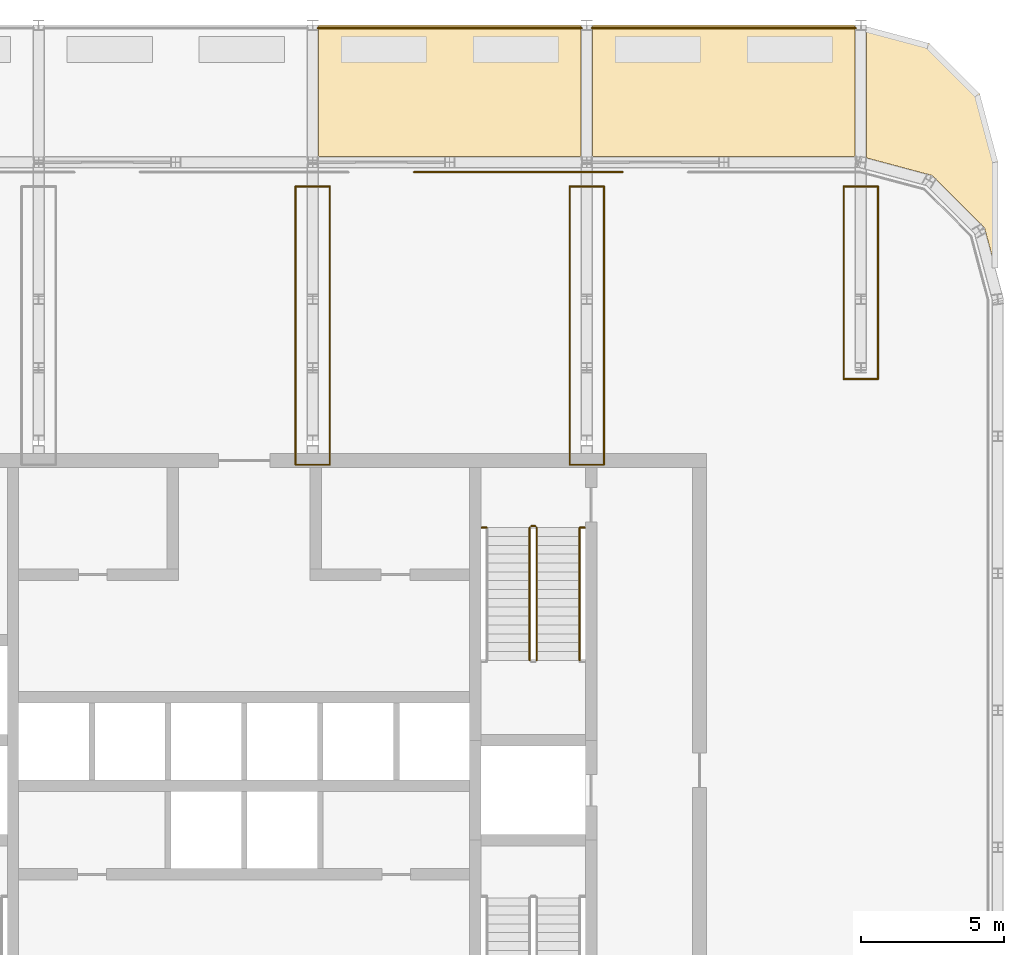
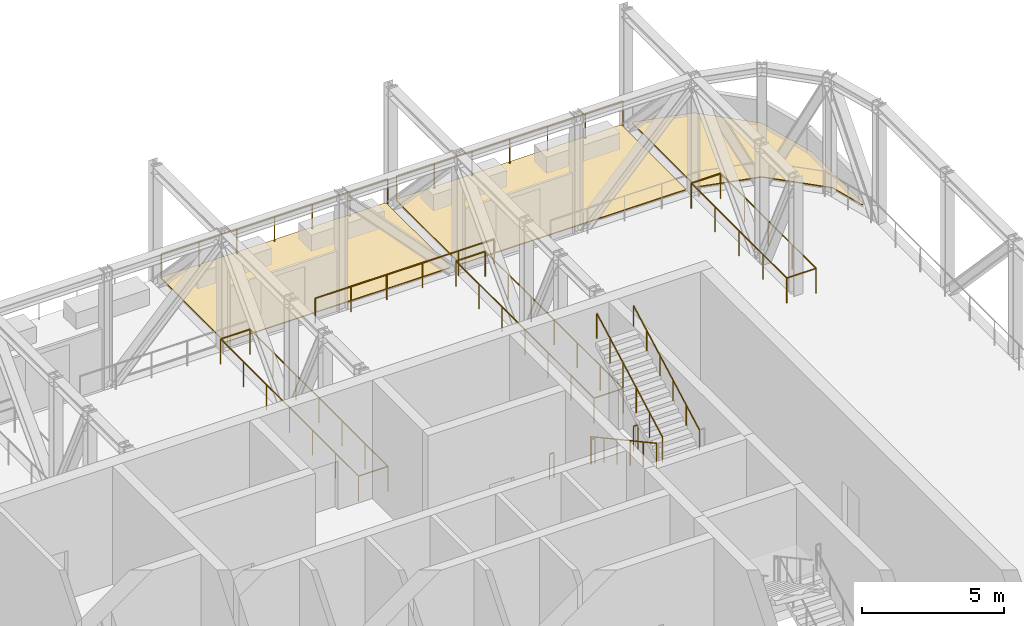
# One storey, part 15 of 16: 21 railings, 3 coverings.
"""IFC4 building model written with IfcOpenShell, lengths in metres."""

from ifc_helpers import new_model, si_unit, direction, frame, origin, origin_2d, place, context, subcontext, project, spatial, polyline, circle, outline, extrude, material, layer, layer_set, type_object, element, save


model = new_model("IFC4")

# Units and contexts
model_context = context("Model", 3, precision=1e-05, world=origin(), true_north=direction((0.0, 1.0)))
body_context = subcontext(model_context, "Body", "Model", "MODEL_VIEW")
ifc_project = project(units=[si_unit("LENGTHUNIT", "METRE"), si_unit("AREAUNIT", "SQUARE_METRE"), si_unit("VOLUMEUNIT", "CUBIC_METRE"), si_unit("PLANEANGLEUNIT", "RADIAN"), si_unit("MASSUNIT", "GRAM", prefix="KILO")], contexts=[model_context])

# Site, building, storey
site_placement = place(None, origin())
site = spatial("IfcSite", under=ifc_project, at=site_placement, CompositionType="ELEMENT")
building_placement = place(site_placement, origin())
building = spatial("IfcBuilding", under=site, at=building_placement, Name="Madar Terraces", CompositionType="ELEMENT")
storey_placement = place(building_placement, frame((0.0, 0.0, 263.199951171875)))
storey = spatial("IfcBuildingStorey", under=building, at=storey_placement, Name="L69", CompositionType="ELEMENT", Elevation=263.199951171875)

# Railings
ifc_material_1 = material(Name="Glass, safety glazing, with stainless steel posts", Category="steel")
railing_type_1 = type_object("IfcRailingType", Name="Balcony glass guard 1100", PredefinedType="GUARDRAIL", material=ifc_material_1)
railing_1_placement = place(storey_placement, frame((44.45166015625, 47.65185546875, 0.0)))
element("IfcRailing", 1, at=railing_1_placement, inside=storey, type_object=railing_type_1, Name="Gallery guard", PredefinedType="GUARDRAIL", context=body_context, shape_type="SweptSolid", body=[
    extrude(circle(Radius=0.02392578125, at=origin_2d()), frame((0.0, 0.0, 1.076171875), z_axis=(-1.0, 0.0, 0.0), x_axis=(0.0, -1.0, 0.0)), (0.0, 0.0, 1.0), 7.30322265625),
    extrude(circle(Radius=0.02099609375, at=origin_2d()), origin(), (0.0, 0.0, 1.0), 1.052001953125),
    extrude(circle(Radius=0.02099609375, at=origin_2d()), frame((-1.460693359375, 0.0, 0.0)), (0.0, 0.0, 1.0), 1.052001953125),
    extrude(circle(Radius=0.02099609375, at=origin_2d()), frame((-2.92138671875, 0.0, 0.0)), (0.0, 0.0, 1.0), 1.052001953125),
    extrude(circle(Radius=0.02099609375, at=origin_2d()), frame((-4.3818359375, 0.0, 0.0)), (0.0, 0.0, 1.0), 1.052001953125),
    extrude(circle(Radius=0.02099609375, at=origin_2d()), frame((-5.842529296875, 0.0, 0.0)), (0.0, 0.0, 1.0), 1.052001953125),
    extrude(circle(Radius=0.02099609375, at=origin_2d()), frame((-7.30322265625, 0.0, 0.0)), (0.0, 0.0, 1.0), 1.052001953125),
])
for number, where, name in (
    (2, (33.001953125, 37.402099609375, 0.0), "Slot guard"),
    (3, (34.197998046875, 37.402099609375, 0.0), "Slot guard"),
):
    element("IfcRailing", number, at=place(storey_placement, frame(where)), inside=storey, type_object=railing_type_1, Name=name, PredefinedType="GUARDRAIL", context=body_context, shape_type="SweptSolid", body=[
        extrude(circle(Radius=0.02392578125, at=origin_2d()), frame((0.0, 0.0, 1.076171875), z_axis=(0.0, 1.0, 0.0), x_axis=(-1.0, 0.0, 0.0)), (0.0, 0.0, 1.0), 9.749755859375),
        extrude(circle(Radius=0.02099609375, at=origin_2d()), origin(), (0.0, 0.0, 1.0), 1.052001953125),
        extrude(circle(Radius=0.02099609375, at=origin_2d()), frame((0.0, 1.625, 0.0)), (0.0, 0.0, 1.0), 1.052001953125),
        extrude(circle(Radius=0.02099609375, at=origin_2d()), frame((0.0, 3.25, 0.0)), (0.0, 0.0, 1.0), 1.052001953125),
        extrude(circle(Radius=0.02099609375, at=origin_2d()), frame((0.0, 4.875, 0.0)), (0.0, 0.0, 1.0), 1.052001953125),
        extrude(circle(Radius=0.02099609375, at=origin_2d()), frame((0.0, 6.499755859375, 0.0)), (0.0, 0.0, 1.0), 1.052001953125),
        extrude(circle(Radius=0.02099609375, at=origin_2d()), frame((0.0, 8.124755859375, 0.0)), (0.0, 0.0, 1.0), 1.052001953125),
        extrude(circle(Radius=0.02099609375, at=origin_2d()), frame((0.0, 9.749755859375, 0.0)), (0.0, 0.0, 1.0), 1.052001953125),
    ])
for number, where, name in (
    (4, (33.001953125, 37.402099609375, 0.0), "Slot guard"),
    (5, (33.001953125, 47.15185546875, 0.0), "Slot guard"),
):
    element("IfcRailing", number, at=place(storey_placement, frame(where)), inside=storey, type_object=railing_type_1, Name=name, PredefinedType="GUARDRAIL", context=body_context, shape_type="SweptSolid", body=[
        extrude(circle(Radius=0.02392578125, at=origin_2d()), frame((0.0, 0.0, 1.076171875), z_axis=(1.0, 0.0, 0.0), x_axis=(0.0, 1.0, 0.0)), (0.0, 0.0, 1.0), 1.196044921875),
        extrude(circle(Radius=0.02099609375, at=origin_2d()), origin(), (0.0, 0.0, 1.0), 1.052001953125),
        extrude(circle(Radius=0.02099609375, at=origin_2d()), frame((1.196044921875, 0.0, 0.0)), (0.0, 0.0, 1.0), 1.052001953125),
    ])
for number, where, name in (
    (6, (42.601806640625, 37.402099609375, 0.0), "Slot guard"),
    (7, (43.798095703125, 37.402099609375, 0.0), "Slot guard"),
):
    element("IfcRailing", number, at=place(storey_placement, frame(where)), inside=storey, type_object=railing_type_1, Name=name, PredefinedType="GUARDRAIL", context=body_context, shape_type="SweptSolid", body=[
        extrude(circle(Radius=0.02392578125, at=origin_2d()), frame((0.0, 0.0, 1.076171875), z_axis=(0.0, 1.0, 0.0), x_axis=(-1.0, 0.0, 0.0)), (0.0, 0.0, 1.0), 9.749755859375),
        extrude(circle(Radius=0.02099609375, at=origin_2d()), origin(), (0.0, 0.0, 1.0), 1.052001953125),
        extrude(circle(Radius=0.02099609375, at=origin_2d()), frame((0.0, 1.625, 0.0)), (0.0, 0.0, 1.0), 1.052001953125),
        extrude(circle(Radius=0.02099609375, at=origin_2d()), frame((0.0, 3.25, 0.0)), (0.0, 0.0, 1.0), 1.052001953125),
        extrude(circle(Radius=0.02099609375, at=origin_2d()), frame((0.0, 4.875, 0.0)), (0.0, 0.0, 1.0), 1.052001953125),
        extrude(circle(Radius=0.02099609375, at=origin_2d()), frame((0.0, 6.499755859375, 0.0)), (0.0, 0.0, 1.0), 1.052001953125),
        extrude(circle(Radius=0.02099609375, at=origin_2d()), frame((0.0, 8.124755859375, 0.0)), (0.0, 0.0, 1.0), 1.052001953125),
        extrude(circle(Radius=0.02099609375, at=origin_2d()), frame((0.0, 9.749755859375, 0.0)), (0.0, 0.0, 1.0), 1.052001953125),
    ])
for number, where, name in (
    (8, (42.601806640625, 37.402099609375, 0.0), "Slot guard"),
    (9, (42.601806640625, 47.15185546875, 0.0), "Slot guard"),
):
    element("IfcRailing", number, at=place(storey_placement, frame(where)), inside=storey, type_object=railing_type_1, Name=name, PredefinedType="GUARDRAIL", context=body_context, shape_type="SweptSolid", body=[
        extrude(circle(Radius=0.02392578125, at=origin_2d()), frame((0.0, 0.0, 1.076171875), z_axis=(1.0, 0.0, 0.0), x_axis=(0.0, 1.0, 0.0)), (0.0, 0.0, 1.0), 1.1962890625),
        extrude(circle(Radius=0.02099609375, at=origin_2d()), origin(), (0.0, 0.0, 1.0), 1.052001953125),
        extrude(circle(Radius=0.02099609375, at=origin_2d()), frame((1.1962890625, 0.0, 0.0)), (0.0, 0.0, 1.0), 1.052001953125),
    ])
for number, where, name in (
    (10, (52.201904296875, 40.402099609375, 0.0), "Slot guard"),
    (11, (53.398193359375, 40.402099609375, 0.0), "Slot guard"),
):
    element("IfcRailing", number, at=place(storey_placement, frame(where)), inside=storey, type_object=railing_type_1, Name=name, PredefinedType="GUARDRAIL", context=body_context, shape_type="SweptSolid", body=[
        extrude(circle(Radius=0.02392578125, at=origin_2d()), frame((0.0, 0.0, 1.076171875), z_axis=(0.0, 1.0, 0.0), x_axis=(-1.0, 0.0, 0.0)), (0.0, 0.0, 1.0), 6.749755859375),
        extrude(circle(Radius=0.02099609375, at=origin_2d()), origin(), (0.0, 0.0, 1.0), 1.052001953125),
        extrude(circle(Radius=0.02099609375, at=origin_2d()), frame((0.0, 1.6875, 0.0)), (0.0, 0.0, 1.0), 1.052001953125),
        extrude(circle(Radius=0.02099609375, at=origin_2d()), frame((0.0, 3.375, 0.0)), (0.0, 0.0, 1.0), 1.052001953125),
        extrude(circle(Radius=0.02099609375, at=origin_2d()), frame((0.0, 5.062255859375, 0.0)), (0.0, 0.0, 1.0), 1.052001953125),
        extrude(circle(Radius=0.02099609375, at=origin_2d()), frame((0.0, 6.749755859375, 0.0)), (0.0, 0.0, 1.0), 1.052001953125),
    ])
for number, where, name in (
    (12, (52.201904296875, 40.402099609375, 0.0), "Slot guard"),
    (13, (52.201904296875, 47.15185546875, 0.0), "Slot guard"),
):
    element("IfcRailing", number, at=place(storey_placement, frame(where)), inside=storey, type_object=railing_type_1, Name=name, PredefinedType="GUARDRAIL", context=body_context, shape_type="SweptSolid", body=[
        extrude(circle(Radius=0.02392578125, at=origin_2d()), frame((0.0, 0.0, 1.076171875), z_axis=(1.0, 0.0, 0.0), x_axis=(0.0, 1.0, 0.0)), (0.0, 0.0, 1.0), 1.1962890625),
        extrude(circle(Radius=0.02099609375, at=origin_2d()), origin(), (0.0, 0.0, 1.0), 1.052001953125),
        extrude(circle(Radius=0.02099609375, at=origin_2d()), frame((1.1962890625, 0.0, 0.0)), (0.0, 0.0, 1.0), 1.052001953125),
    ])
railing_2_placement = place(storey_placement, frame((43.02197265625, 52.699951171875, 0.0400390625)))
element("IfcRailing", 14, at=railing_2_placement, inside=storey, type_object=railing_type_1, Name="Terrace guard", PredefinedType="GUARDRAIL", context=body_context, shape_type="SweptSolid", body=[
    extrude(circle(Radius=0.02392578125, at=origin_2d()), frame((0.0, 0.0, 1.076171875), z_axis=(-1.0, 0.0, 0.0), x_axis=(0.0, -1.0, 0.0)), (0.0, 0.0, 1.0), 9.243896484375),
    extrude(circle(Radius=0.02099609375, at=origin_2d()), origin(), (0.0, 0.0, 1.0), 1.052001953125),
    extrude(circle(Radius=0.02099609375, at=origin_2d()), frame((-1.54052734375, 0.0, 0.0)), (0.0, 0.0, 1.0), 1.052001953125),
    extrude(circle(Radius=0.02099609375, at=origin_2d()), frame((-3.081298828125, 0.0, 0.0)), (0.0, 0.0, 1.0), 1.052001953125),
    extrude(circle(Radius=0.02099609375, at=origin_2d()), frame((-4.6220703125, 0.0, 0.0)), (0.0, 0.0, 1.0), 1.052001953125),
    extrude(circle(Radius=0.02099609375, at=origin_2d()), frame((-6.16259765625, 0.0, 0.0)), (0.0, 0.0, 1.0), 1.052001953125),
    extrude(circle(Radius=0.02099609375, at=origin_2d()), frame((-7.703125, 0.0, 0.0)), (0.0, 0.0, 1.0), 1.052001953125),
    extrude(circle(Radius=0.02099609375, at=origin_2d()), frame((-9.243896484375, 0.0, 0.0)), (0.0, 0.0, 1.0), 1.052001953125),
])
railing_3_placement = place(storey_placement, frame((52.621826171875, 52.699951171875, 0.0400390625)))
element("IfcRailing", 15, at=railing_3_placement, inside=storey, type_object=railing_type_1, Name="Terrace guard", PredefinedType="GUARDRAIL", context=body_context, shape_type="SweptSolid", body=[
    extrude(circle(Radius=0.02392578125, at=origin_2d()), frame((0.0, 0.0, 1.076171875), z_axis=(-1.0, 0.0, 0.0), x_axis=(0.0, -1.0, 0.0)), (0.0, 0.0, 1.0), 9.24365234375),
    extrude(circle(Radius=0.02099609375, at=origin_2d()), origin(), (0.0, 0.0, 1.0), 1.052001953125),
    extrude(circle(Radius=0.02099609375, at=origin_2d()), frame((-1.54052734375, 0.0, 0.0)), (0.0, 0.0, 1.0), 1.052001953125),
    extrude(circle(Radius=0.02099609375, at=origin_2d()), frame((-3.081298828125, 0.0, 0.0)), (0.0, 0.0, 1.0), 1.052001953125),
    extrude(circle(Radius=0.02099609375, at=origin_2d()), frame((-4.621826171875, 0.0, 0.0)), (0.0, 0.0, 1.0), 1.052001953125),
    extrude(circle(Radius=0.02099609375, at=origin_2d()), frame((-6.162353515625, 0.0, 0.0)), (0.0, 0.0, 1.0), 1.052001953125),
    extrude(circle(Radius=0.02099609375, at=origin_2d()), frame((-7.703125, 0.0, 0.0)), (0.0, 0.0, 1.0), 1.052001953125),
    extrude(circle(Radius=0.02099609375, at=origin_2d()), frame((-9.24365234375, 0.0, 0.0)), (0.0, 0.0, 1.0), 1.052001953125),
])
ifc_material_2 = material(Name="Stainless steel railing", Category="steel")
railing_type_2 = type_object("IfcRailingType", Name="Stair guard 1100", PredefinedType="GUARDRAIL", material=ifc_material_2)
railing_4_placement = place(storey_placement, frame((41.199951171875, 35.199951171875, 0.168701171875)))
element("IfcRailing", 16, at=railing_4_placement, inside=storey, type_object=railing_type_2, Name="L69 ST2 stair guard 1", PredefinedType="GUARDRAIL", context=body_context, shape_type="SweptSolid", body=[
    extrude(circle(Radius=0.02392578125, at=origin_2d()), frame((0.0, 0.0, 1.076171875), z_axis=(0.0, -0.878297076953, 0.478115304728), x_axis=(1.0, 0.0, 0.0)), (0.0, 0.0, 1.0), 5.294189453125),
    extrude(circle(Radius=0.02099609375, at=origin_2d()), origin(), (0.0, 0.0, 1.0), 1.052001953125),
    extrude(circle(Radius=0.02099609375, at=origin_2d()), frame((0.0, -0.929931640625, 0.50634765625)), (0.0, 0.0, 1.0), 1.052001953125),
    extrude(circle(Radius=0.02099609375, at=origin_2d()), frame((0.0, -1.85986328125, 1.012451171875)), (0.0, 0.0, 1.0), 1.052001953125),
    extrude(circle(Radius=0.02099609375, at=origin_2d()), frame((0.0, -2.7900390625, 1.518798828125)), (0.0, 0.0, 1.0), 1.052001953125),
    extrude(circle(Radius=0.02099609375, at=origin_2d()), frame((0.0, -3.719970703125, 2.02490234375)), (0.0, 0.0, 1.0), 1.052001953125),
    extrude(circle(Radius=0.02099609375, at=origin_2d()), frame((0.0, -4.64990234375, 2.53125)), (0.0, 0.0, 1.0), 1.052001953125),
])
railing_5_placement = place(storey_placement, frame((41.449951171875, 30.550048828125, 2.868896484375)))
element("IfcRailing", 17, at=railing_5_placement, inside=storey, type_object=railing_type_2, Name="L69 ST2 stair guard 3", PredefinedType="GUARDRAIL", context=body_context, shape_type="SweptSolid", body=[
    extrude(circle(Radius=0.02392578125, at=origin_2d()), frame((0.0, 0.0, 1.076171875), z_axis=(0.0, 0.878297076953, 0.478115304728), x_axis=(-1.0, 0.0, 0.0)), (0.0, 0.0, 1.0), 5.294189453125),
    extrude(circle(Radius=0.02099609375, at=origin_2d()), origin(), (0.0, 0.0, 1.0), 1.052001953125),
    extrude(circle(Radius=0.02099609375, at=origin_2d()), frame((0.0, 0.929931640625, 0.50634765625)), (0.0, 0.0, 1.0), 1.052001953125),
    extrude(circle(Radius=0.02099609375, at=origin_2d()), frame((0.0, 1.85986328125, 1.012451171875)), (0.0, 0.0, 1.0), 1.052001953125),
    extrude(circle(Radius=0.02099609375, at=origin_2d()), frame((0.0, 2.7900390625, 1.518798828125)), (0.0, 0.0, 1.0), 1.052001953125),
    extrude(circle(Radius=0.02099609375, at=origin_2d()), frame((0.0, 3.719970703125, 2.02490234375)), (0.0, 0.0, 1.0), 1.052001953125),
    extrude(circle(Radius=0.02099609375, at=origin_2d()), frame((0.0, 4.64990234375, 2.53125)), (0.0, 0.0, 1.0), 1.052001953125),
])
railing_6_placement = place(storey_placement, frame((41.25, 35.25, 0.0)))
element("IfcRailing", 18, at=railing_6_placement, inside=storey, type_object=railing_type_2, Name="L69 ST2 stair guard 4", PredefinedType="GUARDRAIL", context=body_context, shape_type="SweptSolid", body=[
    extrude(circle(Radius=0.02392578125, at=origin_2d()), frame((0.0, 0.0, 1.076171875), z_axis=(1.0, 0.0, 0.0), x_axis=(0.0, 1.0, 0.0)), (0.0, 0.0, 1.0), 0.14990234375),
    extrude(circle(Radius=0.02099609375, at=origin_2d()), origin(), (0.0, 0.0, 1.0), 1.052001953125),
    extrude(circle(Radius=0.02099609375, at=origin_2d()), frame((0.14990234375, 0.0, 0.0)), (0.0, 0.0, 1.0), 1.052001953125),
])
for number, where, name in (
    (19, (39.52001953125, 35.199951171875, 0.0), "L69 stair guard floor 1"),
    (20, (42.949951171875, 35.199951171875, 0.0), "L69 stair guard floor 2"),
):
    element("IfcRailing", number, at=place(storey_placement, frame(where)), inside=storey, type_object=railing_type_2, Name=name, PredefinedType="GUARDRAIL", context=body_context, shape_type="SweptSolid", body=[
        extrude(circle(Radius=0.02392578125, at=origin_2d()), frame((0.0, 0.0, 1.076171875), z_axis=(1.0, 0.0, 0.0), x_axis=(0.0, 1.0, 0.0)), (0.0, 0.0, 1.0), 0.179931640625),
        extrude(circle(Radius=0.02099609375, at=origin_2d()), origin(), (0.0, 0.0, 1.0), 1.052001953125),
        extrude(circle(Radius=0.02099609375, at=origin_2d()), frame((0.179931640625, 0.0, 0.0)), (0.0, 0.0, 1.0), 1.052001953125),
    ])
ifc_material_3 = material(Name="Stainless steel railing", Category="steel")
railing_type_3 = type_object("IfcRailingType", Name="Stair handrail 900", PredefinedType="HANDRAIL", material=ifc_material_3)
railing_7_placement = place(storey_placement, frame((42.949951171875, 30.550048828125, 2.868896484375)))
element("IfcRailing", 21, at=railing_7_placement, inside=storey, type_object=railing_type_3, Name="L69 ST2 stair handrail 2", PredefinedType="HANDRAIL", context=body_context, shape_type="SweptSolid", body=[
    extrude(circle(Radius=0.02392578125, at=origin_2d()), frame((0.0, 0.0, 0.8759765625), z_axis=(0.0, 0.878297076953, 0.478115304728), x_axis=(-1.0, 0.0, 0.0)), (0.0, 0.0, 1.0), 5.294189453125),
    extrude(circle(Radius=0.02099609375, at=origin_2d()), origin(), (0.0, 0.0, 1.0), 0.851806640625),
    extrude(circle(Radius=0.02099609375, at=origin_2d()), frame((0.0, 0.929931640625, 0.50634765625)), (0.0, 0.0, 1.0), 0.851806640625),
    extrude(circle(Radius=0.02099609375, at=origin_2d()), frame((0.0, 1.85986328125, 1.012451171875)), (0.0, 0.0, 1.0), 0.851806640625),
    extrude(circle(Radius=0.02099609375, at=origin_2d()), frame((0.0, 2.7900390625, 1.518798828125)), (0.0, 0.0, 1.0), 0.851806640625),
    extrude(circle(Radius=0.02099609375, at=origin_2d()), frame((0.0, 3.719970703125, 2.02490234375)), (0.0, 0.0, 1.0), 0.851806640625),
    extrude(circle(Radius=0.02099609375, at=origin_2d()), frame((0.0, 4.64990234375, 2.53125)), (0.0, 0.0, 1.0), 0.851806640625),
])

# Coverings
ifc_material_4 = material(Name="Porcelain paving slabs on pedestals")
ifc_layer = layer(ifc_material_4, 0.0400390625)
ifc_layer_set = layer_set([ifc_layer], Name="Terrace paving 40")
covering_type = type_object("IfcCoveringType", Name="Terrace paving 40", PredefinedType="FLOORING", material=ifc_layer_set)
covering_1_placement = place(storey_placement, origin())
element("IfcCovering", 22, at=covering_1_placement, inside=storey, type_object=covering_type, Name="Terrace paving", PredefinedType="FLOORING", context=body_context, shape_type="SweptSolid", body=[
    extrude(outline(polyline([(55.19677734375, 52.156494140625), (55.201416015625, 52.154052734375), (55.20556640625, 52.15087890625), (55.20947265625, 52.1474609375), (56.947509765625, 50.409423828125), (56.950927734375, 50.405517578125), (56.9541015625, 50.4013671875), (56.95654296875, 50.396728515625), (56.958740234375, 50.39208984375), (56.96044921875, 50.38720703125), (57.598388671875, 48.00634765625), (57.59912109375, 48.002197265625), (57.599853515625, 47.997802734375), (57.60009765625, 47.993408203125), (57.60009765625, 44.34521484375), (57.599853515625, 44.34033203125), (57.59912109375, 44.33544921875), (57.597900390625, 44.33056640625), (57.59619140625, 44.325927734375), (57.593994140625, 44.3212890625), (57.59130859375, 44.317138671875), (57.58837890625, 44.313232421875), (57.5849609375, 44.3095703125), (57.581298828125, 44.306396484375), (57.577392578125, 44.303466796875), (57.572998046875, 44.30078125), (57.568603515625, 44.298828125), (57.563720703125, 44.297119140625), (57.55908203125, 44.296142578125), (57.55419921875, 44.29541015625), (57.549072265625, 44.29541015625), (57.544189453125, 44.295654296875), (57.539306640625, 44.29638671875), (57.534423828125, 44.297607421875), (57.52978515625, 44.299560546875), (57.525390625, 44.3017578125), (57.521240234375, 44.304443359375), (57.517333984375, 44.3076171875), (57.513671875, 44.310791015625), (57.510498046875, 44.314697265625), (57.507568359375, 44.318603515625), (57.505126953125, 44.322998046875), (57.503173828125, 44.32763671875), (57.501708984375, 44.332275390625), (57.135009765625, 45.701416015625), (57.134521484375, 45.702392578125), (57.133544921875, 45.70361328125), (55.303466796875, 47.53369140625), (55.302490234375, 47.534423828125), (55.30126953125, 47.534912109375), (53.03515625, 48.14208984375), (53.030517578125, 48.1435546875), (53.02587890625, 48.145751953125), (53.021484375, 48.148193359375), (53.017333984375, 48.15087890625), (53.013427734375, 48.154296875), (53.010009765625, 48.157958984375), (53.007080078125, 48.162109375), (53.00439453125, 48.166259765625), (53.002197265625, 48.1708984375), (53.00048828125, 48.175537109375), (52.9990234375, 48.180419921875), (52.998291015625, 48.185302734375), (52.998046875, 48.1904296875), (52.998046875, 52.681884765625), (52.998291015625, 52.6865234375), (52.9990234375, 52.69140625), (53.000244140625, 52.696044921875), (53.001708984375, 52.70068359375), (53.00390625, 52.704833984375), (53.00634765625, 52.708984375), (53.009033203125, 52.712890625), (53.01220703125, 52.716552734375), (53.015869140625, 52.719970703125), (53.01953125, 52.722900390625), (53.023681640625, 52.725341796875), (53.028076171875, 52.7275390625), (53.032470703125, 52.729248046875), (53.037109375, 52.73046875), (53.0419921875, 52.7314453125), (53.046630859375, 52.731689453125), (53.051513671875, 52.731689453125), (53.056396484375, 52.731201171875), (53.06103515625, 52.72998046875), (55.18701171875, 52.160400390625), (55.19189453125, 52.15869140625), (55.19677734375, 52.156494140625)])), origin(), (0.0, 0.0, 1.0), 0.0400390625),
])
covering_2_placement = place(storey_placement, origin())
element("IfcCovering", 23, at=covering_2_placement, inside=storey, type_object=covering_type, Name="Terrace paving", PredefinedType="FLOORING", context=body_context, shape_type="SweptSolid", body=[
    extrude(outline(polyline([(42.96630859375, 52.7978515625), (42.970947265625, 52.796142578125), (42.975341796875, 52.794189453125), (42.979736328125, 52.79150390625), (42.983642578125, 52.788818359375), (42.9873046875, 52.785400390625), (42.990478515625, 52.78173828125), (42.993408203125, 52.77783203125), (42.99609375, 52.773681640625), (42.998046875, 52.76904296875), (42.999755859375, 52.764404296875), (43.0009765625, 52.759765625), (43.001708984375, 52.7548828125), (43.001953125, 52.75), (43.001953125, 48.248046875), (43.001708984375, 48.2431640625), (43.0009765625, 48.23828125), (42.999755859375, 48.233642578125), (42.998046875, 48.22900390625), (42.99609375, 48.224609375), (42.993408203125, 48.22021484375), (42.990478515625, 48.21630859375), (42.9873046875, 48.212890625), (42.983642578125, 48.20947265625), (42.979736328125, 48.20654296875), (42.975341796875, 48.2041015625), (42.970947265625, 48.201904296875), (42.96630859375, 48.2001953125), (42.961669921875, 48.19921875), (42.956787109375, 48.198486328125), (42.951904296875, 48.197998046875), (33.84814453125, 48.197998046875), (33.84326171875, 48.198486328125), (33.83837890625, 48.19921875), (33.83349609375, 48.2001953125), (33.8291015625, 48.201904296875), (33.82470703125, 48.2041015625), (33.8203125, 48.20654296875), (33.81640625, 48.20947265625), (33.812744140625, 48.212890625), (33.8095703125, 48.21630859375), (33.806396484375, 48.22021484375), (33.803955078125, 48.224609375), (33.802001953125, 48.22900390625), (33.80029296875, 48.233642578125), (33.799072265625, 48.23828125), (33.79833984375, 48.2431640625), (33.798095703125, 48.248046875), (33.798095703125, 52.75), (33.79833984375, 52.7548828125), (33.799072265625, 52.759765625), (33.80029296875, 52.764404296875), (33.802001953125, 52.76904296875), (33.803955078125, 52.773681640625), (33.806396484375, 52.77783203125), (33.8095703125, 52.78173828125), (33.812744140625, 52.785400390625), (33.81640625, 52.788818359375), (33.8203125, 52.79150390625), (33.82470703125, 52.794189453125), (33.8291015625, 52.796142578125), (33.83349609375, 52.7978515625), (33.83837890625, 52.799072265625), (33.84326171875, 52.7998046875), (33.84814453125, 52.800048828125), (42.951904296875, 52.800048828125), (42.956787109375, 52.7998046875), (42.961669921875, 52.799072265625), (42.96630859375, 52.7978515625)])), origin(), (0.0, 0.0, 1.0), 0.0400390625),
])
covering_3_placement = place(storey_placement, origin())
element("IfcCovering", 24, at=covering_3_placement, inside=storey, type_object=covering_type, Name="Terrace paving", PredefinedType="FLOORING", context=body_context, shape_type="SweptSolid", body=[
    extrude(outline(polyline([(52.56640625, 52.7978515625), (52.571044921875, 52.796142578125), (52.575439453125, 52.794189453125), (52.57958984375, 52.79150390625), (52.58349609375, 52.788818359375), (52.587158203125, 52.785400390625), (52.590576171875, 52.78173828125), (52.593505859375, 52.77783203125), (52.595947265625, 52.773681640625), (52.59814453125, 52.76904296875), (52.599609375, 52.764404296875), (52.600830078125, 52.759765625), (52.6015625, 52.7548828125), (52.601806640625, 52.75), (52.601806640625, 48.248046875), (52.6015625, 48.2431640625), (52.600830078125, 48.23828125), (52.599609375, 48.233642578125), (52.59814453125, 48.22900390625), (52.595947265625, 48.224609375), (52.593505859375, 48.22021484375), (52.590576171875, 48.21630859375), (52.587158203125, 48.212890625), (52.58349609375, 48.20947265625), (52.57958984375, 48.20654296875), (52.575439453125, 48.2041015625), (52.571044921875, 48.201904296875), (52.56640625, 48.2001953125), (52.5615234375, 48.19921875), (52.556884765625, 48.198486328125), (52.552001953125, 48.197998046875), (43.447998046875, 48.197998046875), (43.443115234375, 48.198486328125), (43.4384765625, 48.19921875), (43.43359375, 48.2001953125), (43.428955078125, 48.201904296875), (43.424560546875, 48.2041015625), (43.42041015625, 48.20654296875), (43.41650390625, 48.20947265625), (43.412841796875, 48.212890625), (43.409423828125, 48.21630859375), (43.406494140625, 48.22021484375), (43.404052734375, 48.224609375), (43.40185546875, 48.22900390625), (43.400390625, 48.233642578125), (43.399169921875, 48.23828125), (43.3984375, 48.2431640625), (43.398193359375, 48.248046875), (43.398193359375, 52.75), (43.3984375, 52.7548828125), (43.399169921875, 52.759765625), (43.400390625, 52.764404296875), (43.40185546875, 52.76904296875), (43.404052734375, 52.773681640625), (43.406494140625, 52.77783203125), (43.409423828125, 52.78173828125), (43.412841796875, 52.785400390625), (43.41650390625, 52.788818359375), (43.42041015625, 52.79150390625), (43.424560546875, 52.794189453125), (43.428955078125, 52.796142578125), (43.43359375, 52.7978515625), (43.4384765625, 52.799072265625), (43.443115234375, 52.7998046875), (43.447998046875, 52.800048828125), (52.552001953125, 52.800048828125), (52.556884765625, 52.7998046875), (52.5615234375, 52.799072265625), (52.56640625, 52.7978515625)])), origin(), (0.0, 0.0, 1.0), 0.0400390625),
])

save(model, "model.ifc")
